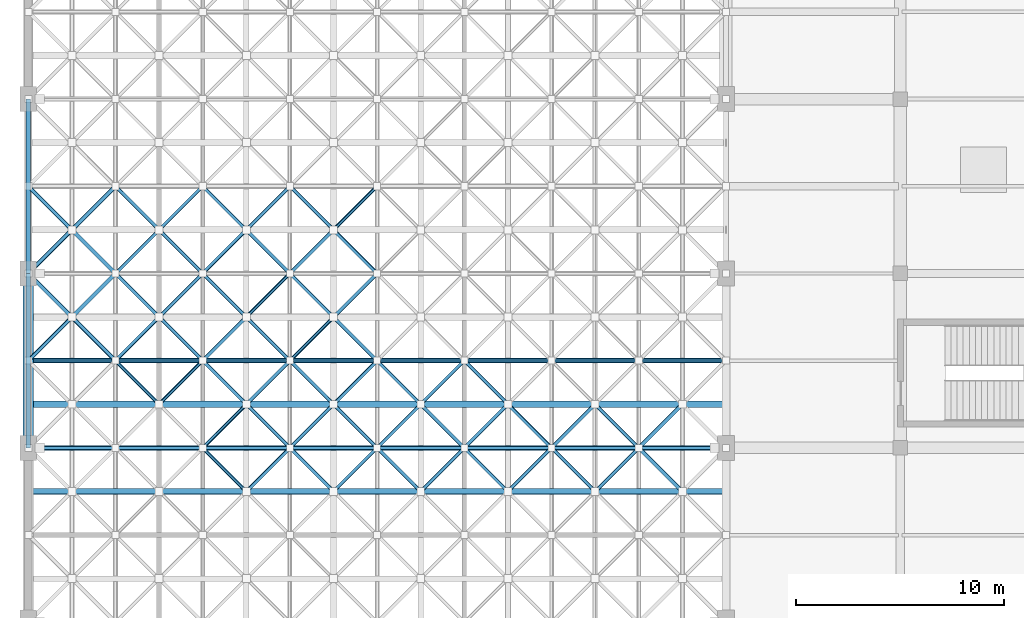
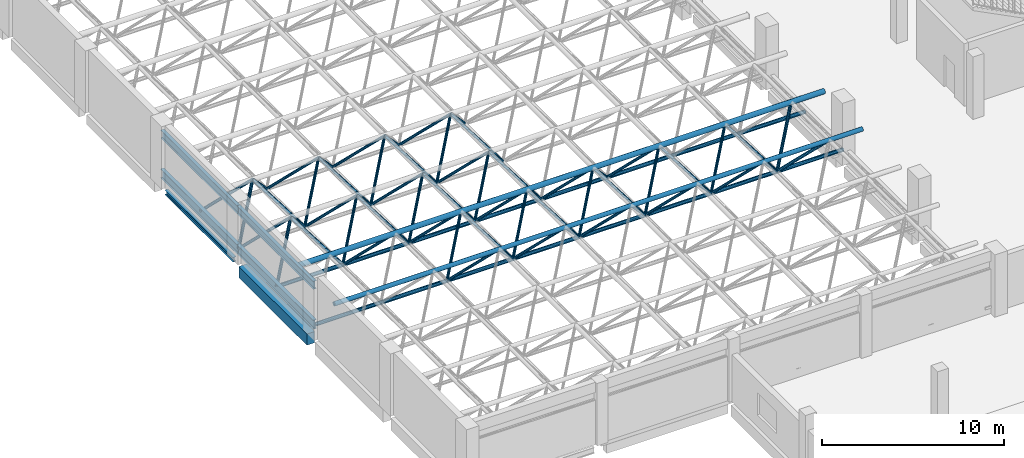
# One storey, part 16 of 64: 67 members, 6 beams.
"""IFC4 building model written with IfcOpenShell, lengths in metres."""

from ifc_helpers import new_model, si_unit, derived_unit, direction, frame, origin, origin_2d, place, context, subcontext, project, spatial, rectangle, hollow_circle, i_section, extrude, material, material_profile, profile_set, type_object, element, save


model = new_model("IFC4")

# Units and contexts
model_context = context("Model", 3, precision=1e-05, world=origin(), true_north=direction((0.0, 1.0)))
body_context = subcontext(model_context, "Body", "Model", "MODEL_VIEW")
ifc_project = project(units=[si_unit("LENGTHUNIT", "METRE"), si_unit("AREAUNIT", "SQUARE_METRE"), si_unit("VOLUMEUNIT", "CUBIC_METRE"), si_unit("PLANEANGLEUNIT", "RADIAN"), si_unit("MASSUNIT", "GRAM", prefix="KILO"), derived_unit("THERMALTRANSMITTANCEUNIT", [(si_unit("POWERUNIT", "WATT"), 1), (si_unit("LENGTHUNIT", "METRE"), -2), (si_unit("THERMODYNAMICTEMPERATUREUNIT", "KELVIN"), -1)])], contexts=[model_context])

# Site, building, storey
site_placement = place(None, origin())
site = spatial("IfcSite", under=ifc_project, at=site_placement, CompositionType="ELEMENT")
building_placement = place(site_placement, origin())
building = spatial("IfcBuilding", under=site, at=building_placement, Name="Barrovel Congress Hotel", CompositionType="ELEMENT")
storey_placement = place(building_placement, frame((0.0, 0.0, 14.10009765625)))
storey = spatial("IfcBuildingStorey", under=building, at=storey_placement, Name="L03", CompositionType="ELEMENT", Elevation=14.10009765625)

# Beam
ifc_material_1 = material(Name="Concrete C40", Category="concrete")
ifc_material_profile_1 = material_profile(ifc_material_1, rectangle(XDim=0.5, YDim=0.75, at=origin_2d()), Name="RC500x750")
ifc_profile_set_1 = profile_set([ifc_material_profile_1], Name="Concrete C40")
beam_type_1 = type_object("IfcBeamType", Name="BM-RC500x750", PredefinedType="BEAM", material=ifc_profile_set_1)
beam_1_placement = place(storey_placement, frame((0.0, 55.050048828125, -0.614990234375), z_axis=(0.0, 1.0, 0.0), x_axis=(-1.0, 0.0, 0.0)))
element("IfcBeam", 1, at=beam_1_placement, inside=storey, type_object=beam_type_1, Name="BMY:L03:0.0:54.6-63.0", PredefinedType="BEAM", context=body_context, shape_type="SweptSolid", body=[
    extrude(rectangle(XDim=0.5, YDim=0.75, at=origin_2d()), origin(), (0.0, 0.0, 1.0), 7.5),
])

# Members
ifc_material_2 = material(Name="Steel ASTM A500 Grade C", Category="steel")
ifc_material_profile_2 = material_profile(ifc_material_2, hollow_circle(Radius=0.084228515625, WallThickness=0.006591796875, at=origin_2d()), Name="CHS168.3x7.1")
ifc_profile_set_2 = profile_set([ifc_material_profile_2], Name="Steel ASTM A500 Grade C")
member_type_1 = type_object("IfcMemberType", Name="MEM-CHS168.3x7.1", PredefinedType="BRACE", material=ifc_profile_set_2)
member_1_placement = place(storey_placement, frame((4.199951171875, 58.800048828125, 0.599853515625), z_axis=(0.527601167383, -0.527601167383, 0.665788266908), x_axis=(0.707106781187, 0.707106781187, 0.0)))
element("IfcMember", 2, at=member_1_placement, inside=storey, type_object=member_type_1, Name="Space Frame Roof Truss Diagonal 1-4-3", PredefinedType="BRACE", context=body_context, shape_type="SweptSolid", body=[
    extrude(hollow_circle(Radius=0.084228515625, WallThickness=0.006591796875, at=origin_2d()), origin(), (0.0, 0.0, 1.0), 3.98046875),
])
member_2_placement = place(storey_placement, frame((8.39990234375, 58.800048828125, 0.599853515625), z_axis=(-0.527556903839, -0.527618240532, 0.665809811786), x_axis=(0.707147883682, -0.707065676302, 0.0)))
element("IfcMember", 3, at=member_2_placement, inside=storey, type_object=member_type_1, Name="Space Frame Roof Truss Diagonal 1-4-4", PredefinedType="BRACE", context=body_context, shape_type="SweptSolid", body=[
    extrude(hollow_circle(Radius=0.084228515625, WallThickness=0.006591796875, at=origin_2d()), origin(), (0.0, 0.0, 1.0), 3.980224609375),
])
member_3_placement = place(storey_placement, frame((4.199951171875, 63.0, 0.599853515625), z_axis=(0.527601167383, 0.527601167383, 0.665788266908), x_axis=(-0.707106781187, 0.707106781187, 0.0)))
element("IfcMember", 4, at=member_3_placement, inside=storey, type_object=member_type_1, Name="Space Frame Roof Truss Diagonal 1-6-1", PredefinedType="BRACE", context=body_context, shape_type="SweptSolid", body=[
    extrude(hollow_circle(Radius=0.084228515625, WallThickness=0.006591796875, at=origin_2d()), origin(), (0.0, 0.0, 1.0), 3.98046875),
])
for number, where, z_axis, x_axis, name in (
    (5, (8.39990234375, 63.0, 0.599853515625), (-0.527556903839, 0.527618240532, 0.665809811786), (-0.707147883682, -0.707065676302, 0.0), "Space Frame Roof Truss Diagonal 1-6-2"),
    (6, (4.199951171875, 67.199951171875, 0.599853515625), (0.527618240532, -0.527556903839, 0.665809811786), (0.707065676302, 0.707147883682, 0.0), "Space Frame Roof Truss Diagonal 1-6-3"),
    (7, (8.39990234375, 67.199951171875, 0.599853515625), (-0.527573976661, -0.527573976661, 0.665831358755), (0.707106781187, -0.707106781187, 0.0), "Space Frame Roof Truss Diagonal 1-6-4"),
):
    element("IfcMember", number, at=place(storey_placement, frame(where, z_axis=z_axis, x_axis=x_axis)), inside=storey, type_object=member_type_1, Name=name, PredefinedType="BRACE", context=body_context, shape_type="SweptSolid", body=[
        extrude(hollow_circle(Radius=0.084228515625, WallThickness=0.006591796875, at=origin_2d()), origin(), (0.0, 0.0, 1.0), 3.980224609375),
    ])
for number, where, z_axis, x_axis, name in (
    (8, (8.39990234375, 54.60009765625, 0.599853515625), (0.527601167383, -0.527601167383, 0.665788266908), (0.707106781187, 0.707106781187, 0.0), "Space Frame Roof Truss Diagonal 2-3-3"),
    (9, (12.60009765625, 54.60009765625, 0.599853515625), (-0.527601167383, -0.527601167383, 0.665788266908), (0.707106781187, -0.707106781187, 0.0), "Space Frame Roof Truss Diagonal 2-3-4"),
):
    element("IfcMember", number, at=place(storey_placement, frame(where, z_axis=z_axis, x_axis=x_axis)), inside=storey, type_object=member_type_1, Name=name, PredefinedType="BRACE", context=body_context, shape_type="SweptSolid", body=[
        extrude(hollow_circle(Radius=0.084228515625, WallThickness=0.006591796875, at=origin_2d()), origin(), (0.0, 0.0, 1.0), 3.98046875),
    ])
for number, where, z_axis, x_axis, name in (
    (10, (8.39990234375, 58.800048828125, 0.599853515625), (0.527618240532, 0.527556903839, 0.665809811786), (-0.707065676302, 0.707147883682, 0.0), "Space Frame Roof Truss Diagonal 2-5-1"),
    (11, (12.60009765625, 58.800048828125, 0.599853515625), (-0.527618240532, 0.527556903839, 0.665809811786), (-0.707065676302, -0.707147883682, 0.0), "Space Frame Roof Truss Diagonal 2-5-2"),
):
    element("IfcMember", number, at=place(storey_placement, frame(where, z_axis=z_axis, x_axis=x_axis)), inside=storey, type_object=member_type_1, Name=name, PredefinedType="BRACE", context=body_context, shape_type="SweptSolid", body=[
        extrude(hollow_circle(Radius=0.084228515625, WallThickness=0.006591796875, at=origin_2d()), origin(), (0.0, 0.0, 1.0), 3.980224609375),
    ])
for number, where, z_axis, x_axis, name in (
    (12, (8.39990234375, 63.0, 0.599853515625), (0.527601167383, -0.527601167383, 0.665788266908), (0.707106781187, 0.707106781187, 0.0), "Space Frame Roof Truss Diagonal 2-5-3"),
    (13, (12.60009765625, 63.0, 0.599853515625), (-0.527601167383, -0.527601167383, 0.665788266908), (0.707106781187, -0.707106781187, 0.0), "Space Frame Roof Truss Diagonal 2-5-4"),
):
    element("IfcMember", number, at=place(storey_placement, frame(where, z_axis=z_axis, x_axis=x_axis)), inside=storey, type_object=member_type_1, Name=name, PredefinedType="BRACE", context=body_context, shape_type="SweptSolid", body=[
        extrude(hollow_circle(Radius=0.084228515625, WallThickness=0.006591796875, at=origin_2d()), origin(), (0.0, 0.0, 1.0), 3.98046875),
    ])
for number, where, z_axis, x_axis, name in (
    (14, (12.60009765625, 54.60009765625, 0.599853515625), (0.527573976661, 0.527573976661, 0.665831358755), (-0.707106781187, 0.707106781187, 0.0), "Space Frame Roof Truss Diagonal 3-4-1"),
    (15, (16.800048828125, 54.60009765625, 0.599853515625), (-0.527618240532, 0.527556903839, 0.665809811786), (-0.707065676302, -0.707147883682, 0.0), "Space Frame Roof Truss Diagonal 3-4-2"),
    (16, (12.60009765625, 58.800048828125, 0.599853515625), (0.527556903839, -0.527618240532, 0.665809811786), (0.707147883682, 0.707065676302, 0.0), "Space Frame Roof Truss Diagonal 3-4-3"),
):
    element("IfcMember", number, at=place(storey_placement, frame(where, z_axis=z_axis, x_axis=x_axis)), inside=storey, type_object=member_type_1, Name=name, PredefinedType="BRACE", context=body_context, shape_type="SweptSolid", body=[
        extrude(hollow_circle(Radius=0.084228515625, WallThickness=0.006591796875, at=origin_2d()), origin(), (0.0, 0.0, 1.0), 3.980224609375),
    ])
member_4_placement = place(storey_placement, frame((16.800048828125, 58.800048828125, 0.599853515625), z_axis=(-0.527601167383, -0.527601167383, 0.665788266908), x_axis=(0.707106781187, -0.707106781187, 0.0)))
element("IfcMember", 17, at=member_4_placement, inside=storey, type_object=member_type_1, Name="Space Frame Roof Truss Diagonal 3-4-4", PredefinedType="BRACE", context=body_context, shape_type="SweptSolid", body=[
    extrude(hollow_circle(Radius=0.084228515625, WallThickness=0.006591796875, at=origin_2d()), origin(), (0.0, 0.0, 1.0), 3.98046875),
])
member_5_placement = place(storey_placement, frame((12.60009765625, 63.0, 0.599853515625), z_axis=(0.527556903839, 0.527618240532, 0.665809811786), x_axis=(-0.707147883682, 0.707065676302, 0.0)))
element("IfcMember", 18, at=member_5_placement, inside=storey, type_object=member_type_1, Name="Space Frame Roof Truss Diagonal 3-6-1", PredefinedType="BRACE", context=body_context, shape_type="SweptSolid", body=[
    extrude(hollow_circle(Radius=0.084228515625, WallThickness=0.006591796875, at=origin_2d()), origin(), (0.0, 0.0, 1.0), 3.980224609375),
])
member_6_placement = place(storey_placement, frame((16.800048828125, 63.0, 0.599853515625), z_axis=(-0.527601167383, 0.527601167383, 0.665788266908), x_axis=(-0.707106781187, -0.707106781187, 0.0)))
element("IfcMember", 19, at=member_6_placement, inside=storey, type_object=member_type_1, Name="Space Frame Roof Truss Diagonal 3-6-2", PredefinedType="BRACE", context=body_context, shape_type="SweptSolid", body=[
    extrude(hollow_circle(Radius=0.084228515625, WallThickness=0.006591796875, at=origin_2d()), origin(), (0.0, 0.0, 1.0), 3.98046875),
])
for number, where, z_axis, x_axis, name in (
    (20, (12.60009765625, 67.199951171875, 0.599853515625), (0.527573976661, -0.527573976661, 0.665831358755), (0.707106781187, 0.707106781187, 0.0), "Space Frame Roof Truss Diagonal 3-6-3"),
    (21, (16.800048828125, 67.199951171875, 0.599853515625), (-0.527618240532, -0.527556903839, 0.665809811786), (0.707065676302, -0.707147883682, 0.0), "Space Frame Roof Truss Diagonal 3-6-4"),
    (22, (16.800048828125, 54.60009765625, 0.599853515625), (0.527556903839, -0.527618240532, 0.665809811786), (0.707147883682, 0.707065676302, 0.0), "Space Frame Roof Truss Diagonal 4-3-3"),
):
    element("IfcMember", number, at=place(storey_placement, frame(where, z_axis=z_axis, x_axis=x_axis)), inside=storey, type_object=member_type_1, Name=name, PredefinedType="BRACE", context=body_context, shape_type="SweptSolid", body=[
        extrude(hollow_circle(Radius=0.084228515625, WallThickness=0.006591796875, at=origin_2d()), origin(), (0.0, 0.0, 1.0), 3.980224609375),
    ])
member_7_placement = place(storey_placement, frame((21.0, 54.60009765625, 0.599853515625), z_axis=(-0.527601167383, -0.527601167383, 0.665788266908), x_axis=(0.707106781187, -0.707106781187, 0.0)))
element("IfcMember", 23, at=member_7_placement, inside=storey, type_object=member_type_1, Name="Space Frame Roof Truss Diagonal 4-3-4", PredefinedType="BRACE", context=body_context, shape_type="SweptSolid", body=[
    extrude(hollow_circle(Radius=0.084228515625, WallThickness=0.006591796875, at=origin_2d()), origin(), (0.0, 0.0, 1.0), 3.98046875),
])
for number, where, z_axis, x_axis, name in (
    (24, (21.0, 54.60009765625, 0.599853515625), (0.527618240532, 0.527556903839, 0.665809811786), (-0.707065676302, 0.707147883682, 0.0), "Space Frame Roof Truss Diagonal 5-4-1"),
    (25, (25.199951171875, 54.60009765625, 0.599853515625), (-0.527573976661, 0.527573976661, 0.665831358755), (-0.707106781187, -0.707106781187, 0.0), "Space Frame Roof Truss Diagonal 5-4-2"),
):
    element("IfcMember", number, at=place(storey_placement, frame(where, z_axis=z_axis, x_axis=x_axis)), inside=storey, type_object=member_type_1, Name=name, PredefinedType="BRACE", context=body_context, shape_type="SweptSolid", body=[
        extrude(hollow_circle(Radius=0.084228515625, WallThickness=0.006591796875, at=origin_2d()), origin(), (0.0, 0.0, 1.0), 3.980224609375),
    ])
for number, where, z_axis, x_axis, name in (
    (26, (21.0, 58.800048828125, 0.599853515625), (0.527601167383, -0.527601167383, 0.665788266908), (0.707106781187, 0.707106781187, 0.0), "Space Frame Roof Truss Diagonal 5-4-3"),
    (27, (25.199951171875, 54.60009765625, 0.599853515625), (0.527601167383, -0.527601167383, 0.665788266908), (0.707106781187, 0.707106781187, 0.0), "Space Frame Roof Truss Diagonal 6-3-3"),
):
    element("IfcMember", number, at=place(storey_placement, frame(where, z_axis=z_axis, x_axis=x_axis)), inside=storey, type_object=member_type_1, Name=name, PredefinedType="BRACE", context=body_context, shape_type="SweptSolid", body=[
        extrude(hollow_circle(Radius=0.084228515625, WallThickness=0.006591796875, at=origin_2d()), origin(), (0.0, 0.0, 1.0), 3.98046875),
    ])
member_8_placement = place(storey_placement, frame((29.39990234375, 54.60009765625, 0.599853515625), z_axis=(-0.527556903839, -0.527618240532, 0.665809811786), x_axis=(0.707147883682, -0.707065676302, 0.0)))
element("IfcMember", 28, at=member_8_placement, inside=storey, type_object=member_type_1, Name="Space Frame Roof Truss Diagonal 6-3-4", PredefinedType="BRACE", context=body_context, shape_type="SweptSolid", body=[
    extrude(hollow_circle(Radius=0.084228515625, WallThickness=0.006591796875, at=origin_2d()), origin(), (0.0, 0.0, 1.0), 3.980224609375),
])
ifc_material_profile_3 = material_profile(ifc_material_2, hollow_circle(Radius=0.084228515625, WallThickness=0.0087890625, at=origin_2d()), Name="CHS168.3x9.5")
ifc_profile_set_3 = profile_set([ifc_material_profile_3], Name="Steel ASTM A500 Grade C")
member_type_2 = type_object("IfcMemberType", Name="MEM-CHS168.3x9.5", PredefinedType="BRACE", material=ifc_profile_set_3)
for number, where, z_axis, x_axis, name in (
    (29, (4.199951171875, 58.800048828125, 0.599853515625), (0.527618240532, 0.527556903839, 0.665809811786), (-0.707065676302, 0.707147883682, 0.0), "Space Frame Roof Truss Diagonal 1-5-1"),
    (30, (8.39990234375, 58.800048828125, 0.599853515625), (-0.527573976661, 0.527573976661, 0.665831358755), (-0.707106781187, -0.707106781187, 0.0), "Space Frame Roof Truss Diagonal 1-5-2"),
):
    element("IfcMember", number, at=place(storey_placement, frame(where, z_axis=z_axis, x_axis=x_axis)), inside=storey, type_object=member_type_2, Name=name, PredefinedType="BRACE", context=body_context, shape_type="SweptSolid", body=[
        extrude(hollow_circle(Radius=0.084228515625, WallThickness=0.0087890625, at=origin_2d()), origin(), (0.0, 0.0, 1.0), 3.980224609375),
    ])
member_9_placement = place(storey_placement, frame((4.199951171875, 63.0, 0.599853515625), z_axis=(0.527601167383, -0.527601167383, 0.665788266908), x_axis=(0.707106781187, 0.707106781187, 0.0)))
element("IfcMember", 31, at=member_9_placement, inside=storey, type_object=member_type_2, Name="Space Frame Roof Truss Diagonal 1-5-3", PredefinedType="BRACE", context=body_context, shape_type="SweptSolid", body=[
    extrude(hollow_circle(Radius=0.084228515625, WallThickness=0.0087890625, at=origin_2d()), origin(), (0.0, 0.0, 1.0), 3.98046875),
])
for number, where, z_axis, x_axis, name in (
    (32, (8.39990234375, 63.0, 0.599853515625), (-0.527556903839, -0.527618240532, 0.665809811786), (0.707147883682, -0.707065676302, 0.0), "Space Frame Roof Truss Diagonal 1-5-4"),
    (33, (8.39990234375, 54.60009765625, 0.599853515625), (0.527618240532, 0.527556903839, 0.665809811786), (-0.707065676302, 0.707147883682, 0.0), "Space Frame Roof Truss Diagonal 2-4-1"),
    (34, (12.60009765625, 54.60009765625, 0.599853515625), (-0.527618240532, 0.527556903839, 0.665809811786), (-0.707065676302, -0.707147883682, 0.0), "Space Frame Roof Truss Diagonal 2-4-2"),
):
    element("IfcMember", number, at=place(storey_placement, frame(where, z_axis=z_axis, x_axis=x_axis)), inside=storey, type_object=member_type_2, Name=name, PredefinedType="BRACE", context=body_context, shape_type="SweptSolid", body=[
        extrude(hollow_circle(Radius=0.084228515625, WallThickness=0.0087890625, at=origin_2d()), origin(), (0.0, 0.0, 1.0), 3.980224609375),
    ])
for number, where, z_axis, x_axis, name in (
    (35, (8.39990234375, 58.800048828125, 0.599853515625), (0.527601167383, -0.527601167383, 0.665788266908), (0.707106781187, 0.707106781187, 0.0), "Space Frame Roof Truss Diagonal 2-4-3"),
    (36, (12.60009765625, 58.800048828125, 0.599853515625), (-0.527601167383, -0.527601167383, 0.665788266908), (0.707106781187, -0.707106781187, 0.0), "Space Frame Roof Truss Diagonal 2-4-4"),
    (37, (8.39990234375, 63.0, 0.599853515625), (0.527601167383, 0.527601167383, 0.665788266908), (-0.707106781187, 0.707106781187, 0.0), "Space Frame Roof Truss Diagonal 2-6-1"),
    (38, (12.60009765625, 63.0, 0.599853515625), (-0.527601167383, 0.527601167383, 0.665788266908), (-0.707106781187, -0.707106781187, 0.0), "Space Frame Roof Truss Diagonal 2-6-2"),
):
    element("IfcMember", number, at=place(storey_placement, frame(where, z_axis=z_axis, x_axis=x_axis)), inside=storey, type_object=member_type_2, Name=name, PredefinedType="BRACE", context=body_context, shape_type="SweptSolid", body=[
        extrude(hollow_circle(Radius=0.084228515625, WallThickness=0.0087890625, at=origin_2d()), origin(), (0.0, 0.0, 1.0), 3.98046875),
    ])
for number, where, z_axis, x_axis, name in (
    (39, (8.39990234375, 67.199951171875, 0.599853515625), (0.527618240532, -0.527556903839, 0.665809811786), (0.707065676302, 0.707147883682, 0.0), "Space Frame Roof Truss Diagonal 2-6-3"),
    (40, (12.60009765625, 67.199951171875, 0.599853515625), (-0.527618240532, -0.527556903839, 0.665809811786), (0.707065676302, -0.707147883682, 0.0), "Space Frame Roof Truss Diagonal 2-6-4"),
    (41, (12.60009765625, 54.60009765625, 0.599853515625), (0.527556903839, -0.527618240532, 0.665809811786), (0.707147883682, 0.707065676302, 0.0), "Space Frame Roof Truss Diagonal 3-3-3"),
):
    element("IfcMember", number, at=place(storey_placement, frame(where, z_axis=z_axis, x_axis=x_axis)), inside=storey, type_object=member_type_2, Name=name, PredefinedType="BRACE", context=body_context, shape_type="SweptSolid", body=[
        extrude(hollow_circle(Radius=0.084228515625, WallThickness=0.0087890625, at=origin_2d()), origin(), (0.0, 0.0, 1.0), 3.980224609375),
    ])
member_10_placement = place(storey_placement, frame((16.800048828125, 54.60009765625, 0.599853515625), z_axis=(-0.527601167383, -0.527601167383, 0.665788266908), x_axis=(0.707106781187, -0.707106781187, 0.0)))
element("IfcMember", 42, at=member_10_placement, inside=storey, type_object=member_type_2, Name="Space Frame Roof Truss Diagonal 3-3-4", PredefinedType="BRACE", context=body_context, shape_type="SweptSolid", body=[
    extrude(hollow_circle(Radius=0.084228515625, WallThickness=0.0087890625, at=origin_2d()), origin(), (0.0, 0.0, 1.0), 3.98046875),
])
for number, where, z_axis, x_axis, name in (
    (43, (12.60009765625, 58.800048828125, 0.599853515625), (0.527573976661, 0.527573976661, 0.665831358755), (-0.707106781187, 0.707106781187, 0.0), "Space Frame Roof Truss Diagonal 3-5-1"),
    (44, (16.800048828125, 58.800048828125, 0.599853515625), (-0.527618240532, 0.527556903839, 0.665809811786), (-0.707065676302, -0.707147883682, 0.0), "Space Frame Roof Truss Diagonal 3-5-2"),
    (45, (12.60009765625, 63.0, 0.599853515625), (0.527556903839, -0.527618240532, 0.665809811786), (0.707147883682, 0.707065676302, 0.0), "Space Frame Roof Truss Diagonal 3-5-3"),
):
    element("IfcMember", number, at=place(storey_placement, frame(where, z_axis=z_axis, x_axis=x_axis)), inside=storey, type_object=member_type_2, Name=name, PredefinedType="BRACE", context=body_context, shape_type="SweptSolid", body=[
        extrude(hollow_circle(Radius=0.084228515625, WallThickness=0.0087890625, at=origin_2d()), origin(), (0.0, 0.0, 1.0), 3.980224609375),
    ])
member_11_placement = place(storey_placement, frame((16.800048828125, 63.0, 0.599853515625), z_axis=(-0.527601167383, -0.527601167383, 0.665788266908), x_axis=(0.707106781187, -0.707106781187, 0.0)))
element("IfcMember", 46, at=member_11_placement, inside=storey, type_object=member_type_2, Name="Space Frame Roof Truss Diagonal 3-5-4", PredefinedType="BRACE", context=body_context, shape_type="SweptSolid", body=[
    extrude(hollow_circle(Radius=0.084228515625, WallThickness=0.0087890625, at=origin_2d()), origin(), (0.0, 0.0, 1.0), 3.98046875),
])
for number, where, z_axis, x_axis, name in (
    (47, (16.800048828125, 54.60009765625, 0.599853515625), (0.527573976661, 0.527573976661, 0.665831358755), (-0.707106781187, 0.707106781187, 0.0), "Space Frame Roof Truss Diagonal 4-4-1"),
    (48, (21.0, 54.60009765625, 0.599853515625), (-0.527618240532, 0.527556903839, 0.665809811786), (-0.707065676302, -0.707147883682, 0.0), "Space Frame Roof Truss Diagonal 4-4-2"),
    (49, (16.800048828125, 58.800048828125, 0.599853515625), (0.527556903839, -0.527618240532, 0.665809811786), (0.707147883682, 0.707065676302, 0.0), "Space Frame Roof Truss Diagonal 4-4-3"),
):
    element("IfcMember", number, at=place(storey_placement, frame(where, z_axis=z_axis, x_axis=x_axis)), inside=storey, type_object=member_type_2, Name=name, PredefinedType="BRACE", context=body_context, shape_type="SweptSolid", body=[
        extrude(hollow_circle(Radius=0.084228515625, WallThickness=0.0087890625, at=origin_2d()), origin(), (0.0, 0.0, 1.0), 3.980224609375),
    ])
for number, where, z_axis, x_axis, name in (
    (50, (21.0, 58.800048828125, 0.599853515625), (-0.527601167383, -0.527601167383, 0.665788266908), (0.707106781187, -0.707106781187, 0.0), "Space Frame Roof Truss Diagonal 4-4-4"),
    (51, (21.0, 54.60009765625, 0.599853515625), (0.527601167383, -0.527601167383, 0.665788266908), (0.707106781187, 0.707106781187, 0.0), "Space Frame Roof Truss Diagonal 5-3-3"),
):
    element("IfcMember", number, at=place(storey_placement, frame(where, z_axis=z_axis, x_axis=x_axis)), inside=storey, type_object=member_type_2, Name=name, PredefinedType="BRACE", context=body_context, shape_type="SweptSolid", body=[
        extrude(hollow_circle(Radius=0.084228515625, WallThickness=0.0087890625, at=origin_2d()), origin(), (0.0, 0.0, 1.0), 3.98046875),
    ])
for number, where, z_axis, x_axis, name in (
    (52, (25.199951171875, 54.60009765625, 0.599853515625), (-0.527556903839, -0.527618240532, 0.665809811786), (0.707147883682, -0.707065676302, 0.0), "Space Frame Roof Truss Diagonal 5-3-4"),
    (53, (25.199951171875, 54.60009765625, 0.599853515625), (0.527618240532, 0.527556903839, 0.665809811786), (-0.707065676302, 0.707147883682, 0.0), "Space Frame Roof Truss Diagonal 6-4-1"),
    (54, (29.39990234375, 54.60009765625, 0.599853515625), (-0.527573976661, 0.527573976661, 0.665831358755), (-0.707106781187, -0.707106781187, 0.0), "Space Frame Roof Truss Diagonal 6-4-2"),
):
    element("IfcMember", number, at=place(storey_placement, frame(where, z_axis=z_axis, x_axis=x_axis)), inside=storey, type_object=member_type_2, Name=name, PredefinedType="BRACE", context=body_context, shape_type="SweptSolid", body=[
        extrude(hollow_circle(Radius=0.084228515625, WallThickness=0.0087890625, at=origin_2d()), origin(), (0.0, 0.0, 1.0), 3.980224609375),
    ])
ifc_material_profile_4 = material_profile(ifc_material_2, hollow_circle(Radius=0.096923828125, WallThickness=0.0087890625, at=origin_2d()), Name="CHS193.7x9.5")
ifc_profile_set_4 = profile_set([ifc_material_profile_4], Name="Steel ASTM A500 Grade C")
member_type_3 = type_object("IfcMemberType", Name="MEM-CHS193.7x9.5", PredefinedType="BRACE", material=ifc_profile_set_4)
for number, where, z_axis, x_axis, name in (
    (55, (0.0, 58.800048828125, 0.599853515625), (0.527618240532, 0.527556903839, 0.665809811786), (-0.707065676302, 0.707147883682, 0.0), "Space Frame Roof Truss Diagonal 0-5-1"),
    (56, (4.199951171875, 58.800048828125, 0.599853515625), (-0.527573976661, 0.527573976661, 0.665831358755), (-0.707106781187, -0.707106781187, 0.0), "Space Frame Roof Truss Diagonal 0-5-2"),
):
    element("IfcMember", number, at=place(storey_placement, frame(where, z_axis=z_axis, x_axis=x_axis)), inside=storey, type_object=member_type_3, Name=name, PredefinedType="BRACE", context=body_context, shape_type="SweptSolid", body=[
        extrude(hollow_circle(Radius=0.096923828125, WallThickness=0.0087890625, at=origin_2d()), origin(), (0.0, 0.0, 1.0), 3.980224609375),
    ])
member_12_placement = place(storey_placement, frame((0.0, 63.0, 0.599853515625), z_axis=(0.527601167383, -0.527601167383, 0.665788266908), x_axis=(0.707106781187, 0.707106781187, 0.0)))
element("IfcMember", 57, at=member_12_placement, inside=storey, type_object=member_type_3, Name="Space Frame Roof Truss Diagonal 0-5-3", PredefinedType="BRACE", context=body_context, shape_type="SweptSolid", body=[
    extrude(hollow_circle(Radius=0.096923828125, WallThickness=0.0087890625, at=origin_2d()), origin(), (0.0, 0.0, 1.0), 3.98046875),
])
member_13_placement = place(storey_placement, frame((4.199951171875, 63.0, 0.599853515625), z_axis=(-0.527556903839, -0.527618240532, 0.665809811786), x_axis=(0.707147883682, -0.707065676302, 0.0)))
element("IfcMember", 58, at=member_13_placement, inside=storey, type_object=member_type_3, Name="Space Frame Roof Truss Diagonal 0-5-4", PredefinedType="BRACE", context=body_context, shape_type="SweptSolid", body=[
    extrude(hollow_circle(Radius=0.096923828125, WallThickness=0.0087890625, at=origin_2d()), origin(), (0.0, 0.0, 1.0), 3.980224609375),
])
member_14_placement = place(storey_placement, frame((0.0, 63.0, 0.599853515625), z_axis=(0.527601167383, 0.527601167383, 0.665788266908), x_axis=(-0.707106781187, 0.707106781187, 0.0)))
element("IfcMember", 59, at=member_14_placement, inside=storey, type_object=member_type_3, Name="Space Frame Roof Truss Diagonal 0-6-1", PredefinedType="BRACE", context=body_context, shape_type="SweptSolid", body=[
    extrude(hollow_circle(Radius=0.096923828125, WallThickness=0.0087890625, at=origin_2d()), origin(), (0.0, 0.0, 1.0), 3.98046875),
])
for number, where, z_axis, x_axis, name in (
    (60, (4.199951171875, 63.0, 0.599853515625), (-0.527556903839, 0.527618240532, 0.665809811786), (-0.707147883682, -0.707065676302, 0.0), "Space Frame Roof Truss Diagonal 0-6-2"),
    (61, (0.0, 67.199951171875, 0.599853515625), (0.527618240532, -0.527556903839, 0.665809811786), (0.707065676302, 0.707147883682, 0.0), "Space Frame Roof Truss Diagonal 0-6-3"),
    (62, (4.199951171875, 67.199951171875, 0.599853515625), (-0.527573976661, -0.527573976661, 0.665831358755), (0.707106781187, -0.707106781187, 0.0), "Space Frame Roof Truss Diagonal 0-6-4"),
):
    element("IfcMember", number, at=place(storey_placement, frame(where, z_axis=z_axis, x_axis=x_axis)), inside=storey, type_object=member_type_3, Name=name, PredefinedType="BRACE", context=body_context, shape_type="SweptSolid", body=[
        extrude(hollow_circle(Radius=0.096923828125, WallThickness=0.0087890625, at=origin_2d()), origin(), (0.0, 0.0, 1.0), 3.980224609375),
    ])
member_15_placement = place(storey_placement, frame((29.39990234375, 54.60009765625, 0.599853515625), z_axis=(0.527601167383, -0.527601167383, 0.665788266908), x_axis=(0.707106781187, 0.707106781187, 0.0)))
element("IfcMember", 63, at=member_15_placement, inside=storey, type_object=member_type_3, Name="Space Frame Roof Truss Diagonal 7-3-3", PredefinedType="BRACE", context=body_context, shape_type="SweptSolid", body=[
    extrude(hollow_circle(Radius=0.096923828125, WallThickness=0.0087890625, at=origin_2d()), origin(), (0.0, 0.0, 1.0), 3.98046875),
])
member_16_placement = place(storey_placement, frame((29.39990234375, 54.60009765625, 0.599853515625), z_axis=(0.527618240532, 0.527556903839, 0.665809811786), x_axis=(-0.707065676302, 0.707147883682, 0.0)))
element("IfcMember", 64, at=member_16_placement, inside=storey, type_object=member_type_3, Name="Space Frame Roof Truss Diagonal 7-4-1", PredefinedType="BRACE", context=body_context, shape_type="SweptSolid", body=[
    extrude(hollow_circle(Radius=0.096923828125, WallThickness=0.0087890625, at=origin_2d()), origin(), (0.0, 0.0, 1.0), 3.980224609375),
])
ifc_material_profile_5 = material_profile(ifc_material_2, hollow_circle(Radius=0.122314453125, WallThickness=0.01171875, at=origin_2d()), Name="CHS244.5x12.7")
ifc_profile_set_5 = profile_set([ifc_material_profile_5], Name="Steel ASTM A500 Grade C")
member_type_4 = type_object("IfcMemberType", Name="MEM-CHS244.5x12.7", PredefinedType="CHORD", material=ifc_profile_set_5)
for number, where, z_axis, x_axis, name in (
    (65, (0.0, 54.60009765625, 0.599853515625), (1.0, 0.0, 0.0), (0.0, 1.0, 0.0), "Space Frame Roof Truss Bottom Chord X 4"),
    (66, (0.0, 58.800048828125, 0.599853515625), (1.0, 0.0, 0.0), (0.0, 1.0, 0.0), "Space Frame Roof Truss Bottom Chord X 5"),
):
    element("IfcMember", number, at=place(storey_placement, frame(where, z_axis=z_axis, x_axis=x_axis)), inside=storey, type_object=member_type_4, Name=name, PredefinedType="CHORD", context=body_context, shape_type="SweptSolid", body=[
        extrude(hollow_circle(Radius=0.122314453125, WallThickness=0.01171875, at=origin_2d()), origin(), (0.0, 0.0, 1.0), 33.60009765625),
    ])
ifc_material_profile_6 = material_profile(ifc_material_2, hollow_circle(Radius=0.136474609375, WallThickness=0.01171875, at=origin_2d()), Name="CHS273.1x12.7")
ifc_profile_set_6 = profile_set([ifc_material_profile_6], Name="Steel ASTM A500 Grade C")
member_type_5 = type_object("IfcMemberType", Name="MEM-CHS273.1x12.7", PredefinedType="CHORD", material=ifc_profile_set_6)
member_17_placement = place(storey_placement, frame((0.0, 52.5, 3.25), z_axis=(1.0, 0.0, 0.0), x_axis=(0.0, 1.0, 0.0)))
element("IfcMember", 67, at=member_17_placement, inside=storey, type_object=member_type_5, Name="Space Frame Roof Truss Top Chord X 3", PredefinedType="CHORD", context=body_context, shape_type="SweptSolid", body=[
    extrude(hollow_circle(Radius=0.136474609375, WallThickness=0.01171875, at=origin_2d()), origin(), (0.0, 0.0, 1.0), 33.60009765625),
])
ifc_material_profile_7 = material_profile(ifc_material_2, hollow_circle(Radius=0.161865234375, WallThickness=0.01171875, at=origin_2d()), Name="CHS323.9x12.7")
ifc_profile_set_7 = profile_set([ifc_material_profile_7], Name="Steel ASTM A500 Grade C")
member_type_6 = type_object("IfcMemberType", Name="MEM-CHS323.9x12.7", PredefinedType="CHORD", material=ifc_profile_set_7)
member_18_placement = place(storey_placement, frame((0.0, 56.699951171875, 3.25), z_axis=(1.0, 0.0, 0.0), x_axis=(0.0, 1.0, 0.0)))
element("IfcMember", 68, at=member_18_placement, inside=storey, type_object=member_type_6, Name="Space Frame Roof Truss Top Chord X 4", PredefinedType="CHORD", context=body_context, shape_type="SweptSolid", body=[
    extrude(hollow_circle(Radius=0.161865234375, WallThickness=0.01171875, at=origin_2d()), origin(), (0.0, 0.0, 1.0), 33.60009765625),
])

# Beams
ifc_material_3 = material(Name="Steel ASTM A992 Grade 50", Category="steel")
ifc_material_profile_8 = material_profile(ifc_material_3, i_section(OverallWidth=0.205078125, OverallDepth=0.31005859375, WebThickness=0.009521484375, FlangeThickness=0.016357421875, FilletRadius=0.012939453125, at=origin_2d()), Name="W310x74")
ifc_profile_set_8 = profile_set([ifc_material_profile_8], Name="Steel ASTM A992 Grade 50")
beam_type_2 = type_object("IfcBeamType", Name="SBM-W310x74", PredefinedType="SPANDREL", material=ifc_profile_set_8)
beam_2_placement = place(storey_placement, frame((0.0, 63.449951171875, -0.39501953125), z_axis=(0.0, 1.0, 0.0), x_axis=(-1.0, 0.0, 0.0)))
element("IfcBeam", 69, at=beam_2_placement, inside=storey, type_object=beam_type_2, Name="BMY:L03:0.0:63.0-71.4", PredefinedType="SPANDREL", context=body_context, shape_type="SweptSolid", body=[
    extrude(i_section(OverallWidth=0.205078125, OverallDepth=0.31005859375, WebThickness=0.009521484375, FlangeThickness=0.016357421875, FilletRadius=0.012939453125, at=origin_2d()), origin(), (0.0, 0.0, 1.0), 7.5),
])
ifc_material_profile_9 = material_profile(ifc_material_3, i_section(OverallWidth=0.208984375, OverallDepth=0.532958984375, WebThickness=0.01025390625, FlangeThickness=0.015625, FilletRadius=0.013916015625, at=origin_2d()), Name="W530x92")
ifc_profile_set_9 = profile_set([ifc_material_profile_9], Name="Steel ASTM A992 Grade 50")
beam_type_3 = type_object("IfcBeamType", Name="SBM-W530x92", PredefinedType="BEAM", material=ifc_profile_set_9)
for number, where, z_axis, x_axis, name in (
    (70, (0.0, 54.60009765625, 3.25), (0.0, 1.0, 0.0), (-1.0, 0.0, 0.0), "Congress Roof Truss Upper Collector 0-3"),
    (71, (0.0, 63.0, 3.25), (0.0, 1.0, 0.0), (-1.0, 0.0, 0.0), "Congress Roof Truss Upper Collector 0-4"),
):
    element("IfcBeam", number, at=place(storey_placement, frame(where, z_axis=z_axis, x_axis=x_axis)), inside=storey, type_object=beam_type_3, Name=name, PredefinedType="BEAM", context=body_context, shape_type="SweptSolid", body=[
        extrude(i_section(OverallWidth=0.208984375, OverallDepth=0.532958984375, WebThickness=0.01025390625, FlangeThickness=0.015625, FilletRadius=0.013916015625, at=origin_2d()), origin(), (0.0, 0.0, 1.0), 8.39990234375),
    ])
ifc_material_profile_10 = material_profile(ifc_material_3, i_section(OverallWidth=0.22900390625, OverallDepth=0.612060546875, WebThickness=0.011962890625, FlangeThickness=0.01953125, FilletRadius=0.014892578125, at=origin_2d()), Name="W610x125")
ifc_profile_set_10 = profile_set([ifc_material_profile_10], Name="Steel ASTM A992 Grade 50")
beam_type_4 = type_object("IfcBeamType", Name="SBM-W610x125", PredefinedType="BEAM", material=ifc_profile_set_10)
for number, where, z_axis, x_axis, name in (
    (72, (0.0, 54.60009765625, 0.599853515625), (0.0, 1.0, 0.0), (-1.0, 0.0, 0.0), "Congress Roof Truss Collector Beam 0-3"),
    (73, (0.0, 63.0, 0.599853515625), (0.0, 1.0, 0.0), (-1.0, 0.0, 0.0), "Congress Roof Truss Collector Beam 0-4"),
):
    element("IfcBeam", number, at=place(storey_placement, frame(where, z_axis=z_axis, x_axis=x_axis)), inside=storey, type_object=beam_type_4, Name=name, PredefinedType="BEAM", context=body_context, shape_type="SweptSolid", body=[
        extrude(i_section(OverallWidth=0.22900390625, OverallDepth=0.612060546875, WebThickness=0.011962890625, FlangeThickness=0.01953125, FilletRadius=0.014892578125, at=origin_2d()), origin(), (0.0, 0.0, 1.0), 8.39990234375),
    ])

save(model, "model.ifc")
